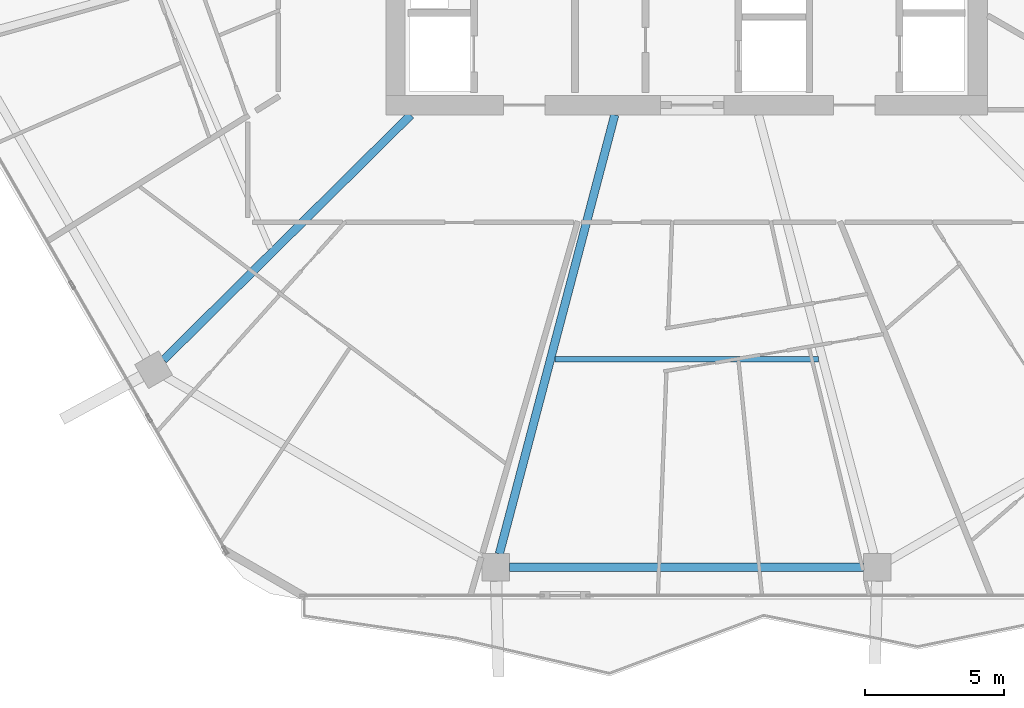
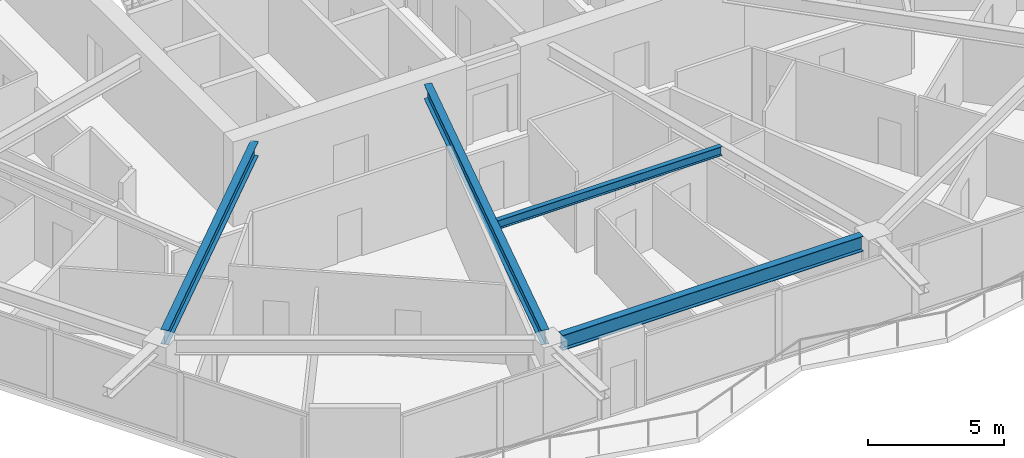
# One storey, part 4 of 25: 4 beams.
"""IFC4 building model written with IfcOpenShell, lengths in metres."""

from ifc_helpers import new_model, si_unit, direction, frame, origin, origin_2d, place, context, subcontext, project, spatial, i_section, extrude, material, material_profile, profile_set, type_object, element, save


model = new_model("IFC4")

# Units and contexts
model_context = context("Model", 3, precision=1e-05, world=origin(), true_north=direction((0.0, 1.0)))
body_context = subcontext(model_context, "Body", "Model", "MODEL_VIEW")
ifc_project = project(units=[si_unit("LENGTHUNIT", "METRE"), si_unit("AREAUNIT", "SQUARE_METRE"), si_unit("VOLUMEUNIT", "CUBIC_METRE"), si_unit("PLANEANGLEUNIT", "RADIAN"), si_unit("MASSUNIT", "GRAM", prefix="KILO")], contexts=[model_context])

# Site, building, storey
site_placement = place(None, origin())
site = spatial("IfcSite", under=ifc_project, at=site_placement, CompositionType="ELEMENT")
building_placement = place(site_placement, origin())
building = spatial("IfcBuilding", under=site, at=building_placement, Name="Zuhravey Tower", CompositionType="ELEMENT")
storey_placement = place(building_placement, frame((0.0, 0.0, 150.39990234375)))
storey = spatial("IfcBuildingStorey", under=building, at=storey_placement, Name="L37", CompositionType="ELEMENT", Elevation=150.39990234375)

# Beams
ifc_material = material(Name="Steel SM355", Category="steel")
ifc_material_profile_1 = material_profile(ifc_material, i_section(OverallWidth=0.300048828125, OverallDepth=0.679931640625, WebThickness=0.012939453125, FlangeThickness=0.02197265625, at=origin_2d()), Name="H-680x300x13x22")
ifc_profile_set_1 = profile_set([ifc_material_profile_1], Name="Steel SM355")
beam_type_1 = type_object("IfcBeamType", Name="Perimeter Ring Beam H680x300", PredefinedType="BEAM", material=ifc_profile_set_1)
beam_1_placement = place(storey_placement, frame((29.62109375, 5.826904296875, 3.210205078125), z_axis=(1.0, 0.0, 0.0), x_axis=(0.0, 1.0, 0.0)))
element("IfcBeam", 1, at=beam_1_placement, inside=storey, type_object=beam_type_1, Name="L37 PB2 BM-L37-PB-09", PredefinedType="BEAM", context=body_context, shape_type="SweptSolid", body=[
    extrude(i_section(OverallWidth=0.300048828125, OverallDepth=0.679931640625, WebThickness=0.012939453125, FlangeThickness=0.02197265625, at=origin_2d()), origin(), (0.0, 0.0, 1.0), 12.7578125),
])
ifc_material_profile_2 = material_profile(ifc_material, i_section(OverallWidth=0.300048828125, OverallDepth=0.64990234375, WebThickness=0.012939453125, FlangeThickness=0.02197265625, at=origin_2d()), Name="H-650x300x13x22")
ifc_profile_set_2 = profile_set([ifc_material_profile_2], Name="Steel SM355")
beam_type_2 = type_object("IfcBeamType", Name="Radial Primary Girder H650x300", PredefinedType="BEAM", material=ifc_profile_set_2)
beam_2_placement = place(storey_placement, frame((26.054443359375, 22.14697265625, 3.22509765625), z_axis=(-0.71040353357, -0.703794586148, 0.0), x_axis=(0.703794586148, -0.71040353357, 0.0)))
element("IfcBeam", 2, at=beam_2_placement, inside=storey, type_object=beam_type_2, Name="L37 RG2 BM-L37-RAD-08", PredefinedType="BEAM", context=body_context, shape_type="SweptSolid", body=[
    extrude(i_section(OverallWidth=0.300048828125, OverallDepth=0.64990234375, WebThickness=0.012939453125, FlangeThickness=0.02197265625, at=origin_2d()), origin(), (0.0, 0.0, 1.0), 12.559814453125),
])
beam_3_placement = place(storey_placement, frame((33.4091796875, 22.14697265625, 3.22509765625), z_axis=(-0.254300244998, -0.967125320418, 0.0), x_axis=(0.967125320418, -0.254300244998, 0.0)))
element("IfcBeam", 3, at=beam_3_placement, inside=storey, type_object=beam_type_2, Name="L37 RG2 BM-L37-RAD-09", PredefinedType="BEAM", context=body_context, shape_type="SweptSolid", body=[
    extrude(i_section(OverallWidth=0.300048828125, OverallDepth=0.64990234375, WebThickness=0.012939453125, FlangeThickness=0.02197265625, at=origin_2d()), origin(), (0.0, 0.0, 1.0), 16.371826171875),
])
ifc_material_profile_3 = material_profile(ifc_material, i_section(OverallWidth=0.199951171875, OverallDepth=0.39990234375, WebThickness=0.008056640625, FlangeThickness=0.012939453125, at=origin_2d()), Name="H-400x200x8x13")
ifc_profile_set_3 = profile_set([ifc_material_profile_3], Name="Steel SM355")
beam_type_3 = type_object("IfcBeamType", Name="Secondary Floor Joist H400x200", PredefinedType="JOIST", material=ifc_profile_set_3)
beam_4_placement = place(storey_placement, frame((31.245849609375, 13.334228515625, 3.35009765625), z_axis=(1.0, 0.0, 0.0), x_axis=(0.0, 1.0, 0.0)))
element("IfcBeam", 4, at=beam_4_placement, inside=storey, type_object=beam_type_3, Name="L37 SJ2 BM-L37-SJ-09-1", PredefinedType="JOIST", context=body_context, shape_type="SweptSolid", body=[
    extrude(i_section(OverallWidth=0.199951171875, OverallDepth=0.39990234375, WebThickness=0.008056640625, FlangeThickness=0.012939453125, at=origin_2d()), origin(), (0.0, 0.0, 1.0), 9.50830078125),
])

save(model, "model.ifc")
